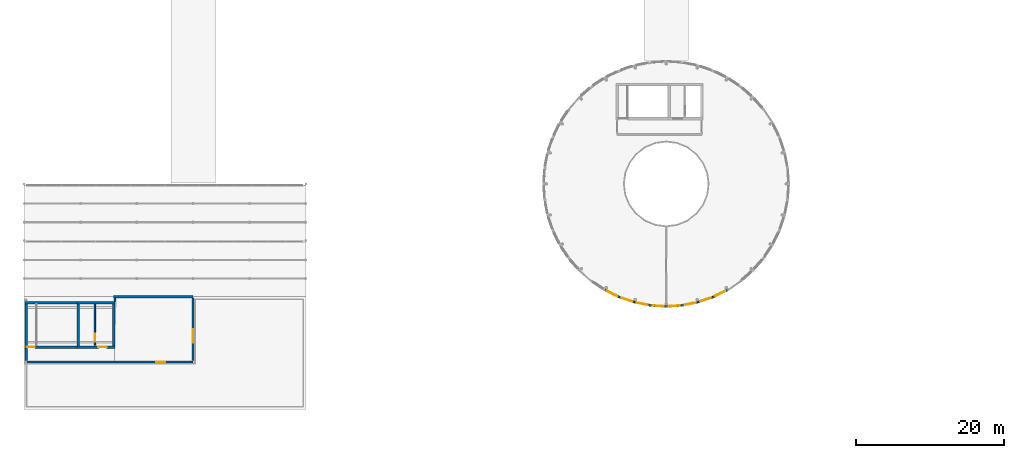
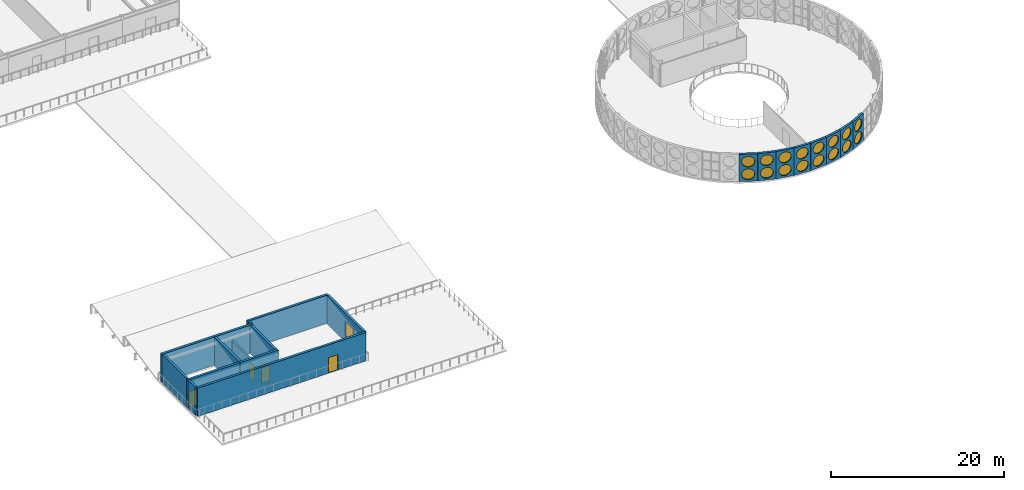
# One storey, part 85 of 114: 21 walls, 17 windows, 4 doors, 21 openings.
"""IFC4 building model written with IfcOpenShell, lengths in metres."""

from ifc_helpers import new_model, si_unit, direction, frame, frame_2d, origin, place, context, subcontext, project, spatial, rectangle, circle, extrude, material, layer, layer_set, type_object, element, fill, save


model = new_model("IFC4")

# Units and contexts
model_context = context("Model", 3, precision=1e-05, world=origin(), true_north=direction((0.0, 1.0)))
body_context = subcontext(model_context, "Body", "Model", "MODEL_VIEW")
ifc_project = project(units=[si_unit("LENGTHUNIT", "METRE"), si_unit("AREAUNIT", "SQUARE_METRE"), si_unit("VOLUMEUNIT", "CUBIC_METRE"), si_unit("PLANEANGLEUNIT", "RADIAN"), si_unit("MASSUNIT", "GRAM", prefix="KILO")], contexts=[model_context])

# Site, building, storey
site_placement = place(None, origin())
site = spatial("IfcSite", under=ifc_project, at=site_placement, CompositionType="ELEMENT")
building_placement = place(site_placement, origin())
building = spatial("IfcBuilding", under=site, at=building_placement, Name="Montecoro Central Library", CompositionType="ELEMENT")
storey_placement = place(building_placement, frame((0.0, 0.0, 13.260009765625)))
storey = spatial("IfcBuildingStorey", under=building, at=storey_placement, Name="L03", CompositionType="ELEMENT", Elevation=13.260009765625)

# Wall, openings, windows
ifc_material_1 = material(Name="Travertine Roman Stone and concrete C35/45", Category="masonry")
ifc_layer_1 = layer(ifc_material_1, 0.294921875)
ifc_layer_set_1 = layer_set([ifc_layer_1], Name="Travertine Roman Stone and concrete C35/45")
wall_type_1 = type_object("IfcWallType", Name="EW-DRM-295", PredefinedType="SOLIDWALL", material=ifc_layer_set_1)
wall_1_placement = place(storey_placement, frame((83.346923828125, 21.089111328125, 0.0), z_axis=(0.0, 0.0, 1.0), x_axis=(0.897210232885, -0.441603666205, 0.0)))
wall_1 = element("IfcWall", 1, at=wall_1_placement, inside=storey, type_object=wall_type_1, Name="V1-L03-EW-33", PredefinedType="SOLIDWALL", context=body_context, shape_type="SweptSolid", body=[
    extrude(rectangle(XDim=2.14453125, YDim=0.294921875, at=frame_2d((1.072265625, 0.0))), origin(), (0.0, 0.0, 1.0), 3.85498046875),
])
opening_1_placement = place(wall_1_placement, frame((0.31201171875, 0.0, 0.25)))
opening_1 = element("IfcOpeningElement", 2, at=opening_1_placement, cuts=wall_1, Name="Opening WP-05", PredefinedType="OPENING", context=body_context, shape_type="SweptSolid", body=[
    extrude(circle(Radius=0.760009765625, at=frame_2d((0.760009765625, 0.760009765625))), frame((0.0, 0.157470703125, 0.0), z_axis=(0.0, -1.0, 0.0), x_axis=(1.0, 0.0, 0.0)), (0.0, 0.0, 1.0), 0.31494140625),
])
opening_2_placement = place(wall_1_placement, frame((0.31201171875, 0.0, 2.030029296875)))
opening_2 = element("IfcOpeningElement", 3, at=opening_2_placement, cuts=wall_1, Name="Opening WP-06", PredefinedType="OPENING", context=body_context, shape_type="SweptSolid", body=[
    extrude(circle(Radius=0.760009765625, at=frame_2d((0.760009765625, 0.760009765625))), frame((0.0, 0.157470703125, 0.0), z_axis=(0.0, -1.0, 0.0), x_axis=(1.0, 0.0, 0.0)), (0.0, 0.0, 1.0), 0.31494140625),
])
ifc_material_2 = material(Name="Clear sky-blue low-E laminated glazing", Category="glass")
window_type_1 = type_object("IfcWindowType", Name="WN-POR-CLR-152", PartitioningType="SINGLE_PANEL", PredefinedType="WINDOW", material=ifc_material_2)
window_1_placement = place(opening_1_placement, origin())
window_1 = element("IfcWindow", 4, at=window_1_placement, inside=storey, type_object=window_type_1, Name="V1-L03-WP-33-1", OverallHeight=1.52001953125, OverallWidth=1.52001953125, PartitioningType="SINGLE_PANEL", PredefinedType="WINDOW", context=body_context, shape_type="SweptSolid", body=[
    extrude(circle(Radius=0.760009765625, at=frame_2d((0.760009765625, 0.760009765625))), frame((0.0, 0.030029296875, 0.0), z_axis=(0.0, -1.0, 0.0), x_axis=(1.0, 0.0, 0.0)), (0.0, 0.0, 1.0), 0.06005859375),
])
fill(opening_1, window_1)
ifc_material_3 = material(Name="Frosted pearl-white ceramic-fritted glazing", Category="glass")
window_type_2 = type_object("IfcWindowType", Name="WN-POR-FRT-152", PartitioningType="SINGLE_PANEL", PredefinedType="WINDOW", material=ifc_material_3)
window_2_placement = place(opening_2_placement, origin())
window_2 = element("IfcWindow", 5, at=window_2_placement, inside=storey, type_object=window_type_2, Name="V1-L03-WP-33-2", OverallHeight=1.52001953125, OverallWidth=1.52001953125, PartitioningType="SINGLE_PANEL", PredefinedType="WINDOW", context=body_context, shape_type="SweptSolid", body=[
    extrude(circle(Radius=0.760009765625, at=frame_2d((0.760009765625, 0.760009765625))), frame((0.0, 0.030029296875, 0.0), z_axis=(0.0, -1.0, 0.0), x_axis=(1.0, 0.0, 0.0)), (0.0, 0.0, 1.0), 0.06005859375),
])
fill(opening_2, window_2)

wall_2_placement = place(storey_placement, frame((85.285888671875, 20.135009765625, 0.0), z_axis=(0.0, 0.0, 1.0), x_axis=(0.946949614692, -0.321382058047, 0.0)))
wall_2 = element("IfcWall", 6, at=wall_2_placement, inside=storey, type_object=wall_type_1, Name="V1-L03-EW-34", PredefinedType="SOLIDWALL", context=body_context, shape_type="SweptSolid", body=[
    extrude(rectangle(XDim=2.143798828125, YDim=0.294921875, at=frame_2d((1.07177734375, 0.0))), origin(), (0.0, 0.0, 1.0), 3.85498046875),
])
opening_3_placement = place(wall_2_placement, frame((0.31201171875, 0.0, 0.25)))
opening_3 = element("IfcOpeningElement", 7, at=opening_3_placement, cuts=wall_2, Name="Opening WP-06", PredefinedType="OPENING", context=body_context, shape_type="SweptSolid", body=[
    extrude(circle(Radius=0.760009765625, at=frame_2d((0.760009765625, 0.760009765625))), frame((0.0, 0.157470703125, 0.0), z_axis=(0.0, -1.0, 0.0), x_axis=(1.0, 0.0, 0.0)), (0.0, 0.0, 1.0), 0.31494140625),
])
opening_4_placement = place(wall_2_placement, frame((0.31201171875, 0.0, 2.030029296875)))
opening_4 = element("IfcOpeningElement", 8, at=opening_4_placement, cuts=wall_2, Name="Opening WP-05", PredefinedType="OPENING", context=body_context, shape_type="SweptSolid", body=[
    extrude(circle(Radius=0.760009765625, at=frame_2d((0.760009765625, 0.760009765625))), frame((0.0, 0.157470703125, 0.0), z_axis=(0.0, -1.0, 0.0), x_axis=(1.0, 0.0, 0.0)), (0.0, 0.0, 1.0), 0.31494140625),
])
window_3_placement = place(opening_4_placement, origin())
window_3 = element("IfcWindow", 9, at=window_3_placement, inside=storey, type_object=window_type_1, Name="V1-L03-WP-34-2", OverallHeight=1.52001953125, OverallWidth=1.52001953125, PartitioningType="SINGLE_PANEL", PredefinedType="WINDOW", context=body_context, shape_type="SweptSolid", body=[
    extrude(circle(Radius=0.760009765625, at=frame_2d((0.760009765625, 0.760009765625))), frame((0.0, 0.030029296875, 0.0), z_axis=(0.0, -1.0, 0.0), x_axis=(1.0, 0.0, 0.0)), (0.0, 0.0, 1.0), 0.06005859375),
])
fill(opening_4, window_3)
window_4_placement = place(opening_3_placement, origin())
window_4 = element("IfcWindow", 10, at=window_4_placement, inside=storey, type_object=window_type_2, Name="V1-L03-WP-34-1", OverallHeight=1.52001953125, OverallWidth=1.52001953125, PartitioningType="SINGLE_PANEL", PredefinedType="WINDOW", context=body_context, shape_type="SweptSolid", body=[
    extrude(circle(Radius=0.760009765625, at=frame_2d((0.760009765625, 0.760009765625))), frame((0.0, 0.030029296875, 0.0), z_axis=(0.0, -1.0, 0.0), x_axis=(1.0, 0.0, 0.0)), (0.0, 0.0, 1.0), 0.06005859375),
])
fill(opening_3, window_4)

wall_3_placement = place(storey_placement, frame((87.33203125, 19.44091796875, 0.0), z_axis=(0.0, 0.0, 1.0), x_axis=(0.980833742796, -0.194846526766, 0.0)))
wall_3 = element("IfcWall", 11, at=wall_3_placement, inside=storey, type_object=wall_type_1, Name="V1-L03-EW-35", PredefinedType="SOLIDWALL", context=body_context, shape_type="SweptSolid", body=[
    extrude(rectangle(XDim=2.14501953125, YDim=0.294921875, at=frame_2d((1.072509765625, 0.0))), origin(), (0.0, 0.0, 1.0), 3.85498046875),
])
opening_5_placement = place(wall_3_placement, frame((0.31298828125, 0.0, 0.25)))
opening_5 = element("IfcOpeningElement", 12, at=opening_5_placement, cuts=wall_3, Name="Opening WP-05", PredefinedType="OPENING", context=body_context, shape_type="SweptSolid", body=[
    extrude(circle(Radius=0.760009765625, at=frame_2d((0.760009765625, 0.760009765625))), frame((0.0, 0.157470703125, 0.0), z_axis=(0.0, -1.0, 0.0), x_axis=(1.0, 0.0, 0.0)), (0.0, 0.0, 1.0), 0.31494140625),
])
opening_6_placement = place(wall_3_placement, frame((0.31298828125, 0.0, 2.030029296875)))
opening_6 = element("IfcOpeningElement", 13, at=opening_6_placement, cuts=wall_3, Name="Opening WP-06", PredefinedType="OPENING", context=body_context, shape_type="SweptSolid", body=[
    extrude(circle(Radius=0.760009765625, at=frame_2d((0.760009765625, 0.760009765625))), frame((0.0, 0.157470703125, 0.0), z_axis=(0.0, -1.0, 0.0), x_axis=(1.0, 0.0, 0.0)), (0.0, 0.0, 1.0), 0.31494140625),
])
window_5_placement = place(opening_5_placement, origin())
window_5 = element("IfcWindow", 14, at=window_5_placement, inside=storey, type_object=window_type_1, Name="V1-L03-WP-35-1", OverallHeight=1.52001953125, OverallWidth=1.52001953125, PartitioningType="SINGLE_PANEL", PredefinedType="WINDOW", context=body_context, shape_type="SweptSolid", body=[
    extrude(circle(Radius=0.760009765625, at=frame_2d((0.760009765625, 0.760009765625))), frame((0.0, 0.030029296875, 0.0), z_axis=(0.0, -1.0, 0.0), x_axis=(1.0, 0.0, 0.0)), (0.0, 0.0, 1.0), 0.06005859375),
])
fill(opening_5, window_5)
window_6_placement = place(opening_6_placement, origin())
window_6 = element("IfcWindow", 15, at=window_6_placement, inside=storey, type_object=window_type_2, Name="V1-L03-WP-35-2", OverallHeight=1.52001953125, OverallWidth=1.52001953125, PartitioningType="SINGLE_PANEL", PredefinedType="WINDOW", context=body_context, shape_type="SweptSolid", body=[
    extrude(circle(Radius=0.760009765625, at=frame_2d((0.760009765625, 0.760009765625))), frame((0.0, 0.030029296875, 0.0), z_axis=(0.0, -1.0, 0.0), x_axis=(1.0, 0.0, 0.0)), (0.0, 0.0, 1.0), 0.06005859375),
])
fill(opening_6, window_6)

wall_4_placement = place(storey_placement, frame((89.451904296875, 19.02001953125, 0.0), z_axis=(0.0, 0.0, 1.0), x_axis=(0.997899987449, -0.064773567518, 0.0)))
wall_4 = element("IfcWall", 16, at=wall_4_placement, inside=storey, type_object=wall_type_1, Name="V1-L03-EW-36", PredefinedType="SOLIDWALL", context=body_context, shape_type="SweptSolid", body=[
    extrude(rectangle(XDim=2.14453125, YDim=0.294921875, at=frame_2d((1.072265625, 0.0))), origin(), (0.0, 0.0, 1.0), 3.85498046875),
])
opening_7_placement = place(wall_4_placement, frame((0.31201171875, 0.0, 0.25)))
opening_7 = element("IfcOpeningElement", 17, at=opening_7_placement, cuts=wall_4, Name="Opening WP-06", PredefinedType="OPENING", context=body_context, shape_type="SweptSolid", body=[
    extrude(circle(Radius=0.760009765625, at=frame_2d((0.760009765625, 0.760009765625))), frame((0.0, 0.157470703125, 0.0), z_axis=(0.0, -1.0, 0.0), x_axis=(1.0, 0.0, 0.0)), (0.0, 0.0, 1.0), 0.31494140625),
])
opening_8_placement = place(wall_4_placement, frame((0.31201171875, 0.0, 2.030029296875)))
opening_8 = element("IfcOpeningElement", 18, at=opening_8_placement, cuts=wall_4, Name="Opening WP-05", PredefinedType="OPENING", context=body_context, shape_type="SweptSolid", body=[
    extrude(circle(Radius=0.760009765625, at=frame_2d((0.760009765625, 0.760009765625))), frame((0.0, 0.157470703125, 0.0), z_axis=(0.0, -1.0, 0.0), x_axis=(1.0, 0.0, 0.0)), (0.0, 0.0, 1.0), 0.31494140625),
])
window_7_placement = place(opening_8_placement, origin())
window_7 = element("IfcWindow", 19, at=window_7_placement, inside=storey, type_object=window_type_1, Name="V1-L03-WP-36-2", OverallHeight=1.52001953125, OverallWidth=1.52001953125, PartitioningType="SINGLE_PANEL", PredefinedType="WINDOW", context=body_context, shape_type="SweptSolid", body=[
    extrude(circle(Radius=0.760009765625, at=frame_2d((0.760009765625, 0.760009765625))), frame((0.0, 0.030029296875, 0.0), z_axis=(0.0, -1.0, 0.0), x_axis=(1.0, 0.0, 0.0)), (0.0, 0.0, 1.0), 0.06005859375),
])
fill(opening_8, window_7)
window_8_placement = place(opening_7_placement, origin())
window_8 = element("IfcWindow", 20, at=window_8_placement, inside=storey, type_object=window_type_2, Name="V1-L03-WP-36-1", OverallHeight=1.52001953125, OverallWidth=1.52001953125, PartitioningType="SINGLE_PANEL", PredefinedType="WINDOW", context=body_context, shape_type="SweptSolid", body=[
    extrude(circle(Radius=0.760009765625, at=frame_2d((0.760009765625, 0.760009765625))), frame((0.0, 0.030029296875, 0.0), z_axis=(0.0, -1.0, 0.0), x_axis=(1.0, 0.0, 0.0)), (0.0, 0.0, 1.0), 0.06005859375),
])
fill(opening_7, window_8)

wall_5_placement = place(storey_placement, frame((91.60791015625, 18.881103515625, 0.0), z_axis=(0.0, 0.0, 1.0), x_axis=(0.997899987449, 0.064773567518, 0.0)))
wall_5 = element("IfcWall", 21, at=wall_5_placement, inside=storey, type_object=wall_type_1, Name="V1-L03-EW-37", PredefinedType="SOLIDWALL", context=body_context, shape_type="SweptSolid", body=[
    extrude(rectangle(XDim=2.14453125, YDim=0.294921875, at=frame_2d((1.072265625, 0.0))), origin(), (0.0, 0.0, 1.0), 3.85498046875),
])
opening_9_placement = place(wall_5_placement, frame((0.31201171875, 0.0, 0.25)))
opening_9 = element("IfcOpeningElement", 22, at=opening_9_placement, cuts=wall_5, Name="Opening WP-05", PredefinedType="OPENING", context=body_context, shape_type="SweptSolid", body=[
    extrude(circle(Radius=0.760009765625, at=frame_2d((0.760009765625, 0.760009765625))), frame((0.0, 0.157470703125, 0.0), z_axis=(0.0, -1.0, 0.0), x_axis=(1.0, 0.0, 0.0)), (0.0, 0.0, 1.0), 0.31494140625),
])
opening_10_placement = place(wall_5_placement, frame((0.31201171875, 0.0, 2.030029296875)))
opening_10 = element("IfcOpeningElement", 23, at=opening_10_placement, cuts=wall_5, Name="Opening WP-06", PredefinedType="OPENING", context=body_context, shape_type="SweptSolid", body=[
    extrude(circle(Radius=0.760009765625, at=frame_2d((0.760009765625, 0.760009765625))), frame((0.0, 0.157470703125, 0.0), z_axis=(0.0, -1.0, 0.0), x_axis=(1.0, 0.0, 0.0)), (0.0, 0.0, 1.0), 0.31494140625),
])
window_9_placement = place(opening_9_placement, origin())
window_9 = element("IfcWindow", 24, at=window_9_placement, inside=storey, type_object=window_type_1, Name="V1-L03-WP-37-1", OverallHeight=1.52001953125, OverallWidth=1.52001953125, PartitioningType="SINGLE_PANEL", PredefinedType="WINDOW", context=body_context, shape_type="SweptSolid", body=[
    extrude(circle(Radius=0.760009765625, at=frame_2d((0.760009765625, 0.760009765625))), frame((0.0, 0.030029296875, 0.0), z_axis=(0.0, -1.0, 0.0), x_axis=(1.0, 0.0, 0.0)), (0.0, 0.0, 1.0), 0.06005859375),
])
fill(opening_9, window_9)
window_10_placement = place(opening_10_placement, origin())
window_10 = element("IfcWindow", 25, at=window_10_placement, inside=storey, type_object=window_type_2, Name="V1-L03-WP-37-2", OverallHeight=1.52001953125, OverallWidth=1.52001953125, PartitioningType="SINGLE_PANEL", PredefinedType="WINDOW", context=body_context, shape_type="SweptSolid", body=[
    extrude(circle(Radius=0.760009765625, at=frame_2d((0.760009765625, 0.760009765625))), frame((0.0, 0.030029296875, 0.0), z_axis=(0.0, -1.0, 0.0), x_axis=(1.0, 0.0, 0.0)), (0.0, 0.0, 1.0), 0.06005859375),
])
fill(opening_10, window_10)

wall_6_placement = place(storey_placement, frame((93.763916015625, 19.02294921875, 0.0), z_axis=(0.0, 0.0, 1.0), x_axis=(0.980833742796, 0.194846526766, 0.0)))
wall_6 = element("IfcWall", 26, at=wall_6_placement, inside=storey, type_object=wall_type_1, Name="V1-L03-EW-38", PredefinedType="SOLIDWALL", context=body_context, shape_type="SweptSolid", body=[
    extrude(rectangle(XDim=2.14501953125, YDim=0.294921875, at=frame_2d((1.072509765625, 0.0))), origin(), (0.0, 0.0, 1.0), 3.85498046875),
])
opening_11_placement = place(wall_6_placement, frame((0.31298828125, 0.0, 0.25)))
opening_11 = element("IfcOpeningElement", 27, at=opening_11_placement, cuts=wall_6, Name="Opening WP-06", PredefinedType="OPENING", context=body_context, shape_type="SweptSolid", body=[
    extrude(circle(Radius=0.760009765625, at=frame_2d((0.760009765625, 0.760009765625))), frame((0.0, 0.157470703125, 0.0), z_axis=(0.0, -1.0, 0.0), x_axis=(1.0, 0.0, 0.0)), (0.0, 0.0, 1.0), 0.31494140625),
])
opening_12_placement = place(wall_6_placement, frame((0.31298828125, 0.0, 2.030029296875)))
opening_12 = element("IfcOpeningElement", 28, at=opening_12_placement, cuts=wall_6, Name="Opening WP-05", PredefinedType="OPENING", context=body_context, shape_type="SweptSolid", body=[
    extrude(circle(Radius=0.760009765625, at=frame_2d((0.760009765625, 0.760009765625))), frame((0.0, 0.157470703125, 0.0), z_axis=(0.0, -1.0, 0.0), x_axis=(1.0, 0.0, 0.0)), (0.0, 0.0, 1.0), 0.31494140625),
])
window_11_placement = place(opening_12_placement, origin())
window_11 = element("IfcWindow", 29, at=window_11_placement, inside=storey, type_object=window_type_1, Name="V1-L03-WP-38-2", OverallHeight=1.52001953125, OverallWidth=1.52001953125, PartitioningType="SINGLE_PANEL", PredefinedType="WINDOW", context=body_context, shape_type="SweptSolid", body=[
    extrude(circle(Radius=0.760009765625, at=frame_2d((0.760009765625, 0.760009765625))), frame((0.0, 0.030029296875, 0.0), z_axis=(0.0, -1.0, 0.0), x_axis=(1.0, 0.0, 0.0)), (0.0, 0.0, 1.0), 0.06005859375),
])
fill(opening_12, window_11)
window_12_placement = place(opening_11_placement, origin())
window_12 = element("IfcWindow", 30, at=window_12_placement, inside=storey, type_object=window_type_2, Name="V1-L03-WP-38-1", OverallHeight=1.52001953125, OverallWidth=1.52001953125, PartitioningType="SINGLE_PANEL", PredefinedType="WINDOW", context=body_context, shape_type="SweptSolid", body=[
    extrude(circle(Radius=0.760009765625, at=frame_2d((0.760009765625, 0.760009765625))), frame((0.0, 0.030029296875, 0.0), z_axis=(0.0, -1.0, 0.0), x_axis=(1.0, 0.0, 0.0)), (0.0, 0.0, 1.0), 0.06005859375),
])
fill(opening_11, window_12)

wall_7_placement = place(storey_placement, frame((95.884033203125, 19.446044921875, 0.0), z_axis=(0.0, 0.0, 1.0), x_axis=(0.946949614692, 0.321382058047, 0.0)))
wall_7 = element("IfcWall", 31, at=wall_7_placement, inside=storey, type_object=wall_type_1, Name="V1-L03-EW-39", PredefinedType="SOLIDWALL", context=body_context, shape_type="SweptSolid", body=[
    extrude(rectangle(XDim=2.143798828125, YDim=0.294921875, at=frame_2d((1.07177734375, 0.0))), origin(), (0.0, 0.0, 1.0), 3.85498046875),
])
opening_13_placement = place(wall_7_placement, frame((0.31201171875, 0.0, 0.25)))
opening_13 = element("IfcOpeningElement", 32, at=opening_13_placement, cuts=wall_7, Name="Opening WP-05", PredefinedType="OPENING", context=body_context, shape_type="SweptSolid", body=[
    extrude(circle(Radius=0.760009765625, at=frame_2d((0.760009765625, 0.760009765625))), frame((0.0, 0.157470703125, 0.0), z_axis=(0.0, -1.0, 0.0), x_axis=(1.0, 0.0, 0.0)), (0.0, 0.0, 1.0), 0.31494140625),
])
opening_14_placement = place(wall_7_placement, frame((0.31201171875, 0.0, 2.030029296875)))
opening_14 = element("IfcOpeningElement", 33, at=opening_14_placement, cuts=wall_7, Name="Opening WP-06", PredefinedType="OPENING", context=body_context, shape_type="SweptSolid", body=[
    extrude(circle(Radius=0.760009765625, at=frame_2d((0.760009765625, 0.760009765625))), frame((0.0, 0.157470703125, 0.0), z_axis=(0.0, -1.0, 0.0), x_axis=(1.0, 0.0, 0.0)), (0.0, 0.0, 1.0), 0.31494140625),
])
window_13_placement = place(opening_13_placement, origin())
window_13 = element("IfcWindow", 34, at=window_13_placement, inside=storey, type_object=window_type_1, Name="V1-L03-WP-39-1", OverallHeight=1.52001953125, OverallWidth=1.52001953125, PartitioningType="SINGLE_PANEL", PredefinedType="WINDOW", context=body_context, shape_type="SweptSolid", body=[
    extrude(circle(Radius=0.760009765625, at=frame_2d((0.760009765625, 0.760009765625))), frame((0.0, 0.030029296875, 0.0), z_axis=(0.0, -1.0, 0.0), x_axis=(1.0, 0.0, 0.0)), (0.0, 0.0, 1.0), 0.06005859375),
])
fill(opening_13, window_13)
window_14_placement = place(opening_14_placement, origin())
window_14 = element("IfcWindow", 35, at=window_14_placement, inside=storey, type_object=window_type_2, Name="V1-L03-WP-39-2", OverallHeight=1.52001953125, OverallWidth=1.52001953125, PartitioningType="SINGLE_PANEL", PredefinedType="WINDOW", context=body_context, shape_type="SweptSolid", body=[
    extrude(circle(Radius=0.760009765625, at=frame_2d((0.760009765625, 0.760009765625))), frame((0.0, 0.030029296875, 0.0), z_axis=(0.0, -1.0, 0.0), x_axis=(1.0, 0.0, 0.0)), (0.0, 0.0, 1.0), 0.06005859375),
])
fill(opening_14, window_14)

wall_8_placement = place(storey_placement, frame((97.928955078125, 20.14208984375, 0.0), z_axis=(0.0, 0.0, 1.0), x_axis=(0.897210232885, 0.441603666205, 0.0)))
wall_8 = element("IfcWall", 36, at=wall_8_placement, inside=storey, type_object=wall_type_1, Name="V1-L03-EW-40", PredefinedType="SOLIDWALL", context=body_context, shape_type="SweptSolid", body=[
    extrude(rectangle(XDim=2.14453125, YDim=0.294921875, at=frame_2d((1.072265625, 0.0))), origin(), (0.0, 0.0, 1.0), 3.85498046875),
])
opening_15_placement = place(wall_8_placement, frame((0.31201171875, 0.0, 0.25)))
opening_15 = element("IfcOpeningElement", 37, at=opening_15_placement, cuts=wall_8, Name="Opening WP-06", PredefinedType="OPENING", context=body_context, shape_type="SweptSolid", body=[
    extrude(circle(Radius=0.760009765625, at=frame_2d((0.760009765625, 0.760009765625))), frame((0.0, 0.157470703125, 0.0), z_axis=(0.0, -1.0, 0.0), x_axis=(1.0, 0.0, 0.0)), (0.0, 0.0, 1.0), 0.31494140625),
])
opening_16_placement = place(wall_8_placement, frame((0.31201171875, 0.0, 2.030029296875)))
opening_16 = element("IfcOpeningElement", 38, at=opening_16_placement, cuts=wall_8, Name="Opening WP-05", PredefinedType="OPENING", context=body_context, shape_type="SweptSolid", body=[
    extrude(circle(Radius=0.760009765625, at=frame_2d((0.760009765625, 0.760009765625))), frame((0.0, 0.157470703125, 0.0), z_axis=(0.0, -1.0, 0.0), x_axis=(1.0, 0.0, 0.0)), (0.0, 0.0, 1.0), 0.31494140625),
])
window_15_placement = place(opening_16_placement, origin())
window_15 = element("IfcWindow", 39, at=window_15_placement, inside=storey, type_object=window_type_1, Name="V1-L03-WP-40-2", OverallHeight=1.52001953125, OverallWidth=1.52001953125, PartitioningType="SINGLE_PANEL", PredefinedType="WINDOW", context=body_context, shape_type="SweptSolid", body=[
    extrude(circle(Radius=0.760009765625, at=frame_2d((0.760009765625, 0.760009765625))), frame((0.0, 0.030029296875, 0.0), z_axis=(0.0, -1.0, 0.0), x_axis=(1.0, 0.0, 0.0)), (0.0, 0.0, 1.0), 0.06005859375),
])
fill(opening_16, window_15)
window_16_placement = place(opening_15_placement, origin())
window_16 = element("IfcWindow", 40, at=window_16_placement, inside=storey, type_object=window_type_2, Name="V1-L03-WP-40-1", OverallHeight=1.52001953125, OverallWidth=1.52001953125, PartitioningType="SINGLE_PANEL", PredefinedType="WINDOW", context=body_context, shape_type="SweptSolid", body=[
    extrude(circle(Radius=0.760009765625, at=frame_2d((0.760009765625, 0.760009765625))), frame((0.0, 0.030029296875, 0.0), z_axis=(0.0, -1.0, 0.0), x_axis=(1.0, 0.0, 0.0)), (0.0, 0.0, 1.0), 0.06005859375),
])
fill(opening_15, window_16)

# Wall, opening, door
ifc_material_4 = material(Name="Roman travertine and concrete C35/45", Category="masonry")
ifc_layer_2 = layer(ifc_material_4, 0.320068359375)
ifc_layer_set_2 = layer_set([ifc_layer_2], Name="Roman travertine and concrete C35/45")
wall_type_2 = type_object("IfcWallType", Name="EW-HHS-320", PredefinedType="SOLIDWALL", material=ifc_layer_set_2)
wall_9_placement = place(storey_placement, frame((5.139892578125, 13.39990234375, 0.0), z_axis=(0.0, 0.0, 1.0), x_axis=(1.0, 0.0, 0.0)))
wall_9 = element("IfcWall", 41, at=wall_9_placement, inside=storey, type_object=wall_type_2, Name="V3-L03-HH-WS", PredefinedType="SOLIDWALL", context=body_context, shape_type="SweptSolid", body=[
    extrude(rectangle(XDim=7.320068359375, YDim=0.320068359375, at=frame_2d((3.66015625, 0.0))), origin(), (0.0, 0.0, 1.0), 4.0),
])
opening_17_placement = place(wall_9_placement, frame((0.219970703125, 0.0, 0.0)))
opening_17 = element("IfcOpeningElement", 42, at=opening_17_placement, cuts=wall_9, Name="Opening ID-17", PredefinedType="OPENING", context=body_context, shape_type="SweptSolid", body=[
    extrude(rectangle(XDim=1.10009765625, YDim=2.179931640625, at=frame_2d((0.550048828125, 1.08984375))), frame((0.0, 0.169921875, 0.0), z_axis=(0.0, -1.0, 0.0), x_axis=(1.0, 0.0, 0.0)), (0.0, 0.0, 1.0), 0.340087890625),
])
ifc_material_5 = material(Name="Solid oak and fire-rated steel door", Category="steel")
door_type_1 = type_object("IfcDoorType", Name="ID-HHL-110", OperationType="NOTDEFINED", PredefinedType="DOOR", material=ifc_material_5)
door_1_placement = place(opening_17_placement, origin())
door_1 = element("IfcDoor", 43, at=door_1_placement, inside=storey, type_object=door_type_1, Name="V3-L03-HH-DOOR", OperationType="SINGLE_SWING_RIGHT", OverallHeight=2.179931640625, OverallWidth=1.10009765625, PredefinedType="DOOR", context=body_context, shape_type="SweptSolid", body=[
    extrude(rectangle(XDim=1.10009765625, YDim=2.179931640625, at=frame_2d((0.550048828125, 1.08984375))), frame((0.0, 0.02490234375, 0.0), z_axis=(0.0, -1.0, 0.0), x_axis=(1.0, 0.0, 0.0)), (0.0, 0.0, 1.0), 0.050048828125),
])
fill(opening_17, door_1)

# Walls
wall_10_placement = place(storey_placement, frame((12.4599609375, 19.39990234375, 0.0), z_axis=(0.0, 0.0, 1.0), x_axis=(-1.0, 0.0, 0.0)))
element("IfcWall", 44, at=wall_10_placement, inside=storey, type_object=wall_type_2, Name="V3-L03-HH-WN", PredefinedType="SOLIDWALL", context=body_context, shape_type="SweptSolid", body=[
    extrude(rectangle(XDim=7.320068359375, YDim=0.320068359375, at=frame_2d((3.66015625, 0.0))), origin(), (0.0, 0.0, 1.0), 4.0),
])
wall_11_placement = place(storey_placement, frame((5.300048828125, 19.239990234375, 0.0), z_axis=(0.0, 0.0, 1.0), x_axis=(0.0, -1.0, 0.0)))
element("IfcWall", 45, at=wall_11_placement, inside=storey, type_object=wall_type_2, Name="V3-L03-HH-WW", PredefinedType="SOLIDWALL", context=body_context, shape_type="SweptSolid", body=[
    extrude(rectangle(XDim=5.679931640625, YDim=0.320068359375, at=frame_2d((2.83984375, 0.0))), origin(), (0.0, 0.0, 1.0), 4.0),
])

# Wall, opening, door
wall_12_placement = place(storey_placement, frame((12.139892578125, 13.39990234375, 0.0), z_axis=(0.0, 0.0, 1.0), x_axis=(1.0, 0.0, 0.0)))
wall_12 = element("IfcWall", 46, at=wall_12_placement, inside=storey, type_object=wall_type_2, Name="V3-L03-LHH-WS", PredefinedType="SOLIDWALL", context=body_context, shape_type="SweptSolid", body=[
    extrude(rectangle(XDim=5.1201171875, YDim=0.320068359375, at=frame_2d((2.56005859375, 0.0))), origin(), (0.0, 0.0, 1.0), 4.0),
])
opening_18_placement = place(wall_12_placement, frame((2.89990234375, 0.0, 0.0)))
opening_18 = element("IfcOpeningElement", 47, at=opening_18_placement, cuts=wall_12, Name="Opening ID-17", PredefinedType="OPENING", context=body_context, shape_type="SweptSolid", body=[
    extrude(rectangle(XDim=1.10009765625, YDim=2.179931640625, at=frame_2d((0.550048828125, 1.08984375))), frame((0.0, 0.169921875, 0.0), z_axis=(0.0, -1.0, 0.0), x_axis=(1.0, 0.0, 0.0)), (0.0, 0.0, 1.0), 0.340087890625),
])
door_2_placement = place(opening_18_placement, origin())
door_2 = element("IfcDoor", 48, at=door_2_placement, inside=storey, type_object=door_type_1, Name="V3-L03-LHH-DOOR", OperationType="SINGLE_SWING_LEFT", OverallHeight=2.179931640625, OverallWidth=1.10009765625, PredefinedType="DOOR", context=body_context, shape_type="SweptSolid", body=[
    extrude(rectangle(XDim=1.10009765625, YDim=2.179931640625, at=frame_2d((0.550048828125, 1.08984375))), frame((0.0, 0.02490234375, 0.0), z_axis=(0.0, -1.0, 0.0), x_axis=(1.0, 0.0, 0.0)), (0.0, 0.0, 1.0), 0.050048828125),
])
fill(opening_18, door_2)

# Wall
wall_13_placement = place(storey_placement, frame((17.260009765625, 19.39990234375, 0.0), z_axis=(0.0, 0.0, 1.0), x_axis=(-1.0, 0.0, 0.0)))
element("IfcWall", 49, at=wall_13_placement, inside=storey, type_object=wall_type_2, Name="V3-L03-LHH-WN", PredefinedType="SOLIDWALL", context=body_context, shape_type="SweptSolid", body=[
    extrude(rectangle(XDim=5.1201171875, YDim=0.320068359375, at=frame_2d((2.56005859375, 0.0))), origin(), (0.0, 0.0, 1.0), 4.0),
])

# Wall, opening, door
ifc_material_6 = material(Name="Roman travertine stone clad concrete C35/45", Category="masonry")
ifc_layer_3 = layer(ifc_material_6, 0.31005859375)
ifc_layer_set_3 = layer_set([ifc_layer_3], Name="Roman travertine stone clad concrete C35/45")
wall_type_3 = type_object("IfcWallType", Name="EW-TRV-LB-310", PredefinedType="SOLIDWALL", material=ifc_layer_set_3)
wall_14_placement = place(storey_placement, frame((5.300048828125, 11.39990234375, 0.0), z_axis=(0.0, 0.0, 1.0), x_axis=(1.0, 0.0, 0.0)))
wall_14 = element("IfcWall", 50, at=wall_14_placement, inside=storey, type_object=wall_type_3, Name="V3-L03-SUN-WS", PredefinedType="SOLIDWALL", context=body_context, shape_type="SweptSolid", body=[
    extrude(rectangle(XDim=22.5, YDim=0.31005859375, at=frame_2d((11.25, 0.0))), origin(), (0.0, 0.0, 1.0), 4.0),
])
opening_19_placement = place(wall_14_placement, frame((17.5, 0.0, 0.0)))
opening_19 = element("IfcOpeningElement", 51, at=opening_19_placement, cuts=wall_14, Name="Opening ED-09", PredefinedType="OPENING", context=body_context, shape_type="SweptSolid", body=[
    extrude(rectangle(XDim=1.25, YDim=2.199951171875, at=frame_2d((0.625, 1.10009765625))), frame((0.0, 0.1650390625, 0.0), z_axis=(0.0, -1.0, 0.0), x_axis=(1.0, 0.0, 0.0)), (0.0, 0.0, 1.0), 0.330078125),
])
ifc_material_7 = material(Name="Thermally broken architectural bronze and safety glass", Category="glass")
door_type_2 = type_object("IfcDoorType", Name="ED-TER-125", OperationType="NOTDEFINED", PredefinedType="DOOR", material=ifc_material_7)
door_3_placement = place(opening_19_placement, origin())
door_3 = element("IfcDoor", 52, at=door_3_placement, inside=storey, type_object=door_type_2, Name="V3-L03-SUN-TD", OperationType="SINGLE_SWING_RIGHT", OverallHeight=2.199951171875, OverallWidth=1.25, PredefinedType="DOOR", context=body_context, shape_type="SweptSolid", body=[
    extrude(rectangle(XDim=1.25, YDim=2.199951171875, at=frame_2d((0.625, 1.10009765625))), frame((0.0, 0.02490234375, 0.0), z_axis=(0.0, -1.0, 0.0), x_axis=(1.0, 0.0, 0.0)), (0.0, 0.0, 1.0), 0.050048828125),
])
fill(opening_19, door_3)

# Walls
wall_15_placement = place(storey_placement, frame((5.300048828125, 11.56005859375, 0.0), z_axis=(0.0, 0.0, 1.0), x_axis=(0.0, 1.0, 0.0)))
element("IfcWall", 53, at=wall_15_placement, inside=storey, type_object=wall_type_3, Name="V3-L03-FOY-WW", PredefinedType="SOLIDWALL", context=body_context, shape_type="SweptSolid", body=[
    extrude(rectangle(XDim=1.679931640625, YDim=0.31005859375, at=frame_2d((0.83984375, 0.0))), origin(), (0.0, 0.0, 1.0), 4.0),
])
wall_16_placement = place(storey_placement, frame((27.800048828125, 20.199951171875, 0.0), z_axis=(0.0, 0.0, 1.0), x_axis=(-1.0, 0.0, 0.0)))
element("IfcWall", 54, at=wall_16_placement, inside=storey, type_object=wall_type_3, Name="V3-L03-SUN-WN", PredefinedType="SOLIDWALL", context=body_context, shape_type="SweptSolid", body=[
    extrude(rectangle(XDim=10.699951171875, YDim=0.31005859375, at=frame_2d((5.35009765625, 0.0))), origin(), (0.0, 0.0, 1.0), 4.0),
])

# Wall, opening, window
wall_17_placement = place(storey_placement, frame((27.800048828125, 11.56005859375, 0.0), z_axis=(0.0, 0.0, 1.0), x_axis=(0.0, 1.0, 0.0)))
wall_17 = element("IfcWall", 55, at=wall_17_placement, inside=storey, type_object=wall_type_3, Name="V3-L03-SUN-WE", PredefinedType="SOLIDWALL", context=body_context, shape_type="SweptSolid", body=[
    extrude(rectangle(XDim=8.47998046875, YDim=0.31005859375, at=frame_2d((4.239990234375, 0.0))), origin(), (0.0, 0.0, 1.0), 4.0),
])
opening_20_placement = place(wall_17_placement, frame((2.39990234375, 0.0, 0.800048828125)))
opening_20 = element("IfcOpeningElement", 56, at=opening_20_placement, cuts=wall_17, Name="Opening WN-11", PredefinedType="OPENING", context=body_context, shape_type="SweptSolid", body=[
    extrude(rectangle(XDim=1.85009765625, YDim=2.10009765625, at=frame_2d((0.925048828125, 1.050048828125))), frame((0.0, 0.1650390625, 0.0), z_axis=(0.0, -1.0, 0.0), x_axis=(1.0, 0.0, 0.0)), (0.0, 0.0, 1.0), 0.330078125),
])
ifc_material_8 = material(Name="Laminated low-E double glazing", Category="glass")
window_type_3 = type_object("IfcWindowType", Name="WN-CHD-185", PartitioningType="SINGLE_PANEL", PredefinedType="WINDOW", material=ifc_material_8)
window_17_placement = place(opening_20_placement, origin())
window_17 = element("IfcWindow", 57, at=window_17_placement, inside=storey, type_object=window_type_3, Name="V3-L03-SUN-WN1", OverallHeight=2.10009765625, OverallWidth=1.85009765625, PartitioningType="SINGLE_PANEL", PredefinedType="WINDOW", context=body_context, shape_type="SweptSolid", body=[
    extrude(rectangle(XDim=1.85009765625, YDim=2.10009765625, at=frame_2d((0.925048828125, 1.050048828125))), frame((0.0, 0.030029296875, 0.0), z_axis=(0.0, -1.0, 0.0), x_axis=(1.0, 0.0, 0.0)), (0.0, 0.0, 1.0), 0.06005859375),
])
fill(opening_20, window_17)

# Walls
wall_18_placement = place(storey_placement, frame((17.260009765625, 19.56005859375, 0.0), z_axis=(0.0, 0.0, 1.0), x_axis=(0.0, 1.0, 0.0)))
element("IfcWall", 58, at=wall_18_placement, inside=storey, type_object=wall_type_3, Name="V3-L03-SUN-WW-N", PredefinedType="SOLIDWALL", context=body_context, shape_type="SweptSolid", body=[
    extrude(rectangle(XDim=0.47998046875, YDim=0.31005859375, at=frame_2d((0.239990234375, 0.0))), origin(), (0.0, 0.0, 1.0), 4.0),
])
ifc_layer_4 = layer(ifc_material_4, 0.320068359375)
ifc_layer_set_4 = layer_set([ifc_layer_4], Name="Roman travertine and concrete C35/45")
wall_type_4 = type_object("IfcWallType", Name="IW-HHS-320", PredefinedType="SOLIDWALL", material=ifc_layer_set_4)
for number, where, z_axis, x_axis, name in (
    (59, (12.300048828125, 13.56005859375, 0.0), (0.0, 0.0, 1.0), (0.0, 1.0, 0.0), "V3-L03-HH-WE"),
    (60, (17.10009765625, 13.56005859375, 0.0), (0.0, 0.0, 1.0), (0.0, 1.0, 0.0), "V3-L03-LHH-WE"),
):
    element("IfcWall", number, at=place(storey_placement, frame(where, z_axis=z_axis, x_axis=x_axis)), inside=storey, type_object=wall_type_4, Name=name, PredefinedType="SOLIDWALL", context=body_context, shape_type="SweptSolid", body=[
        extrude(rectangle(XDim=5.679931640625, YDim=0.320068359375, at=frame_2d((2.83984375, 0.0))), origin(), (0.0, 0.0, 1.0), 4.0),
    ])

# Wall, opening, door
ifc_material_9 = material(Name="Concrete C32/40", Category="concrete")
ifc_layer_5 = layer(ifc_material_9, 0.219970703125)
ifc_layer_set_5 = layer_set([ifc_layer_5], Name="Concrete C32/40")
wall_type_5 = type_object("IfcWallType", Name="IW-LSH-220", PredefinedType="SOLIDWALL", material=ifc_layer_set_5)
wall_19_placement = place(storey_placement, frame((14.550048828125, 13.64990234375, 0.0), z_axis=(0.0, 0.0, 1.0), x_axis=(0.0, 1.0, 0.0)))
wall_19 = element("IfcWall", 61, at=wall_19_placement, inside=storey, type_object=wall_type_5, Name="V3-L03-LHH-SHW", PredefinedType="SOLIDWALL", context=body_context, shape_type="SweptSolid", body=[
    extrude(rectangle(XDim=5.5, YDim=0.219970703125, at=frame_2d((2.75, 0.0))), origin(), (0.0, 0.0, 1.0), 2.699951171875),
])
opening_21_placement = place(wall_19_placement, frame((0.449951171875, 0.0, 0.0)))
opening_21 = element("IfcOpeningElement", 62, at=opening_21_placement, cuts=wall_19, Name="Opening LD-03", PredefinedType="OPENING", context=body_context, shape_type="SweptSolid", body=[
    extrude(rectangle(XDim=1.10009765625, YDim=2.14990234375, at=frame_2d((0.550048828125, 1.074951171875))), frame((0.0, 0.119873046875, 0.0), z_axis=(0.0, -1.0, 0.0), x_axis=(1.0, 0.0, 0.0)), (0.0, 0.0, 1.0), 0.239990234375),
])
ifc_material_10 = material(Name="Fire-rated brushed stainless steel landing door", Category="steel")
door_type_3 = type_object("IfcDoorType", Name="LD-HHL-110", OperationType="NOTDEFINED", PredefinedType="DOOR", material=ifc_material_10)
door_4_placement = place(opening_21_placement, origin())
door_4 = element("IfcDoor", 63, at=door_4_placement, inside=storey, type_object=door_type_3, Name="V3-L03-LD-PL-04", OperationType="SLIDING_TO_LEFT", OverallHeight=2.14990234375, OverallWidth=1.10009765625, PredefinedType="DOOR", context=body_context, shape_type="SweptSolid", body=[
    extrude(rectangle(XDim=1.10009765625, YDim=2.14990234375, at=frame_2d((0.550048828125, 1.074951171875))), frame((0.0, 0.02490234375, 0.0), z_axis=(0.0, -1.0, 0.0), x_axis=(1.0, 0.0, 0.0)), (0.0, 0.0, 1.0), 0.050048828125),
])
fill(opening_21, door_4)

save(model, "model.ifc")
